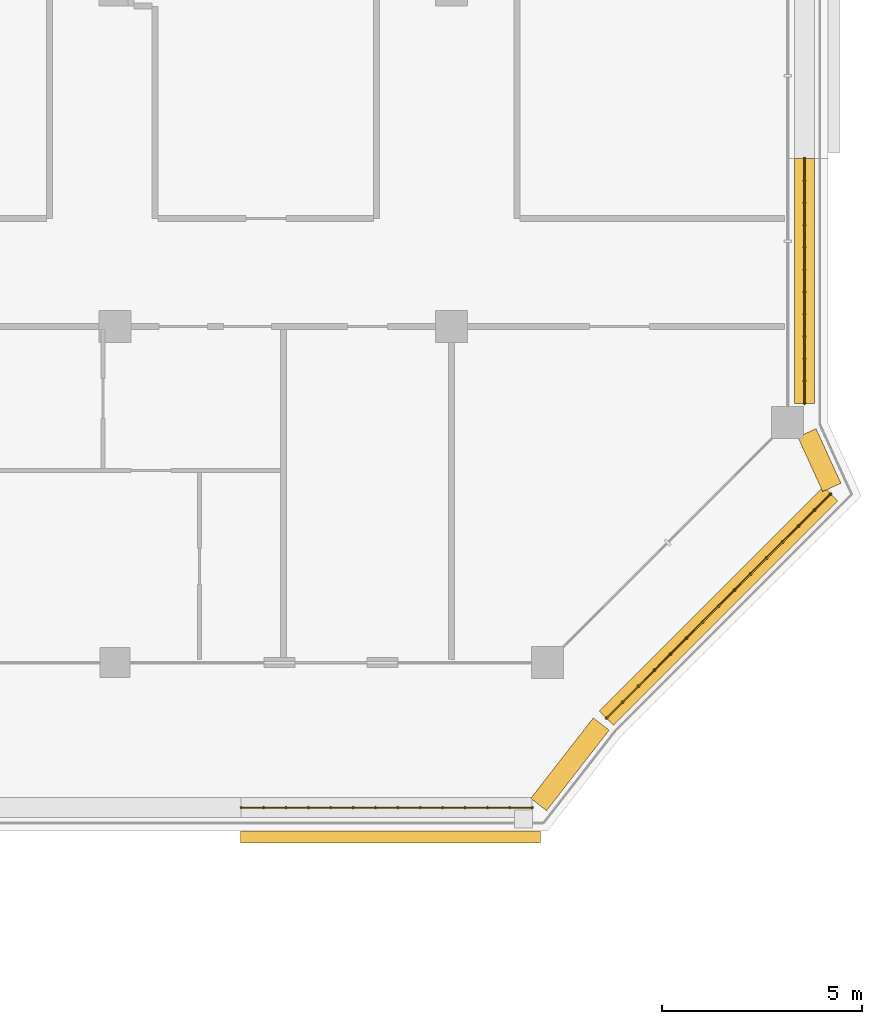
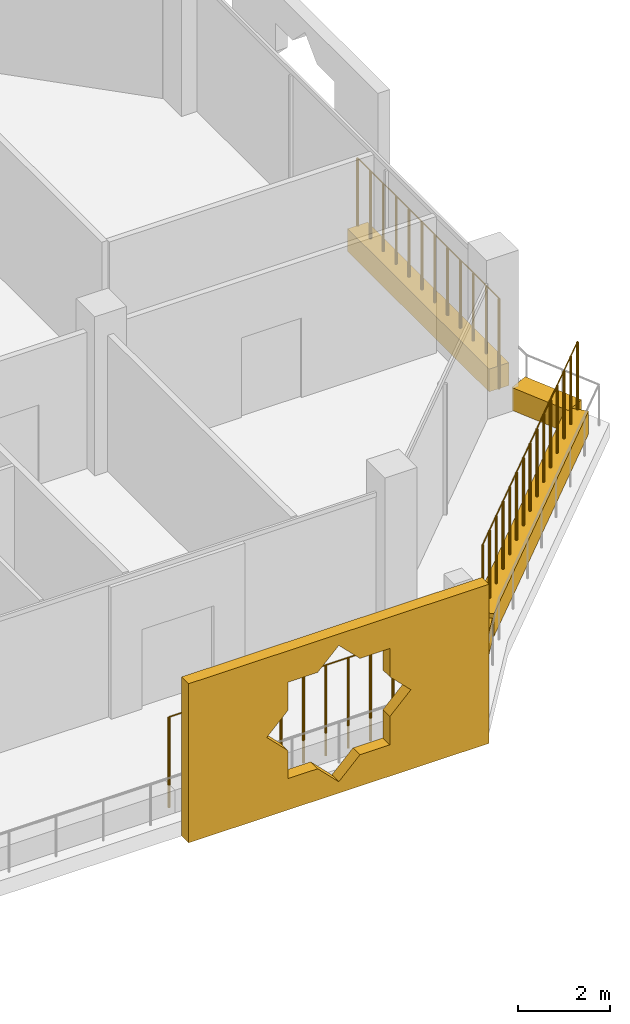
# One storey, part 19 of 22: 5 coverings, 3 railings.
"""IFC4 building model written with IfcOpenShell, lengths in metres."""

from ifc_helpers import new_model, si_unit, direction, frame, origin, origin_2d, place, context, subcontext, project, spatial, polyline, rectangle, circle, outline, extrude, material, material_profile, profile_set, type_object, element, save


model = new_model("IFC4")

# Units and contexts
model_context = context("Model", 3, precision=1e-05, world=origin(), true_north=direction((0.0, 1.0)))
body_context = subcontext(model_context, "Body", "Model", "MODEL_VIEW")
ifc_project = project(units=[si_unit("LENGTHUNIT", "METRE"), si_unit("AREAUNIT", "SQUARE_METRE"), si_unit("VOLUMEUNIT", "CUBIC_METRE"), si_unit("PLANEANGLEUNIT", "RADIAN"), si_unit("MASSUNIT", "GRAM", prefix="KILO")], contexts=[model_context])

# Site, building, storey
site_placement = place(None, origin())
site = spatial("IfcSite", under=ifc_project, at=site_placement, CompositionType="ELEMENT")
building_placement = place(site_placement, origin())
building = spatial("IfcBuilding", under=site, at=building_placement, Name="Kawkab Arch Medical Tower", CompositionType="ELEMENT")
storey_placement = place(building_placement, frame((0.0, 0.0, 298.60009765625)))
storey = spatial("IfcBuildingStorey", under=building, at=storey_placement, Name="L69", CompositionType="ELEMENT", Elevation=298.60009765625)

# Coverings
ifc_material_1 = material(Name="Bronze anodised aluminium mashrabiya panel, eight-point star pattern", Category="aluminium")
ifc_material_profile_1 = material_profile(ifc_material_1, outline(polyline([(-3.75, -2.10009765625), (3.75, -2.10009765625), (3.75, 2.10009765625), (-3.75, 2.10009765625), (-3.75, -2.10009765625)]), holes=[polyline([(1.800048828125, 0.0), (1.272705078125, 0.527099609375), (1.272705078125, 1.272705078125), (0.527099609375, 1.272705078125), (0.0, 1.800048828125), (-0.527099609375, 1.272705078125), (-1.272705078125, 1.272705078125), (-1.272705078125, 0.527099609375), (-1.800048828125, 0.0), (-1.272705078125, -0.527099609375), (-1.272705078125, -1.272705078125), (-0.527099609375, -1.272705078125), (0.0, -1.800048828125), (0.527099609375, -1.272705078125), (1.272705078125, -1.272705078125), (1.272705078125, -0.527099609375), (1.800048828125, 0.0)])]), Name="Mashrabiya panel 7500x4200")
ifc_profile_set_1 = profile_set([ifc_material_profile_1], Name="Bronze anodised aluminium mashrabiya panel, eight-point star pattern")
covering_type_1 = type_object("IfcCoveringType", Name="Mashrabiya panel 7500 x 4200", PredefinedType="USERDEFINED", material=ifc_profile_set_1)
covering_1_placement = place(storey_placement, frame((48.87890625, -29.39990234375, 1.699951171875), z_axis=(0.0, -1.0, 0.0), x_axis=(1.0, 0.0, 0.0)))
element("IfcCovering", 1, at=covering_1_placement, inside=storey, type_object=covering_type_1, Name="Mashrabiya panel L69.LOG-01-01.7", ObjectType="SCREEN", PredefinedType="USERDEFINED", context=body_context, shape_type="SweptSolid", body=[
    extrude(outline(polyline([(-3.75, -2.10009765625), (3.75, -2.10009765625), (3.75, 2.10009765625), (-3.75, 2.10009765625), (-3.75, -2.10009765625)]), holes=[polyline([(1.800048828125, 0.0), (1.272705078125, 0.527099609375), (1.272705078125, 1.272705078125), (0.527099609375, 1.272705078125), (0.0, 1.800048828125), (-0.527099609375, 1.272705078125), (-1.272705078125, 1.272705078125), (-1.272705078125, 0.527099609375), (-1.800048828125, 0.0), (-1.272705078125, -0.527099609375), (-1.272705078125, -1.272705078125), (-0.527099609375, -1.272705078125), (0.0, -1.800048828125), (0.527099609375, -1.272705078125), (1.272705078125, -1.272705078125), (1.272705078125, -0.527099609375), (1.800048828125, 0.0)])]), origin(), (0.0, 0.0, 1.0), 0.300048828125),
])
ifc_material_2 = material(Name="Planting soil in a precast trough", Category="concrete")
ifc_material_profile_2 = material_profile(ifc_material_2, rectangle(XDim=0.5, YDim=0.60009765625, at=origin_2d()), Name="Trough 500x600")
ifc_profile_set_2 = profile_set([ifc_material_profile_2], Name="Planting soil in a precast trough")
covering_type_2 = type_object("IfcCoveringType", Name="Planter trough 500 x 600", PredefinedType="USERDEFINED", material=ifc_profile_set_2)
covering_2_placement = place(storey_placement, frame((59.219970703125, -12.60009765625, 0.2998046875), z_axis=(0.0, -1.0, 0.0), x_axis=(1.0, 0.0, 0.0)))
element("IfcCovering", 2, at=covering_2_placement, inside=storey, type_object=covering_type_2, Name="Planter L69.LOG-01-01.23", ObjectType="PLANTER", PredefinedType="USERDEFINED", context=body_context, shape_type="SweptSolid", body=[
    extrude(rectangle(XDim=0.5, YDim=0.60009765625, at=origin_2d()), origin(), (0.0, 0.0, 1.0), 6.119873046875),
])
covering_3_placement = place(storey_placement, frame((59.280029296875, -19.4580078125, 0.2998046875), z_axis=(0.415189748133, -0.909734836667, 0.0), x_axis=(0.909734836667, 0.415189748133, 0.0)))
element("IfcCovering", 3, at=covering_3_placement, inside=storey, type_object=covering_type_2, Name="Planter L69.LOG-01-01.24", ObjectType="PLANTER", PredefinedType="USERDEFINED", context=body_context, shape_type="SweptSolid", body=[
    extrude(rectangle(XDim=0.5, YDim=0.60009765625, at=origin_2d()), origin(), (0.0, 0.0, 1.0), 1.498291015625),
])
covering_4_placement = place(storey_placement, frame((59.873046875, -20.98291015625, 0.2998046875), z_axis=(-0.707106781187, -0.707106781187, 0.0), x_axis=(0.707106781187, -0.707106781187, 0.0)))
element("IfcCovering", 4, at=covering_4_placement, inside=storey, type_object=covering_type_2, Name="Planter L69.LOG-01-01.25", ObjectType="PLANTER", PredefinedType="USERDEFINED", context=body_context, shape_type="SweptSolid", body=[
    extrude(rectangle(XDim=0.5, YDim=0.60009765625, at=origin_2d()), origin(), (0.0, 0.0, 1.0), 7.919677734375),
])
covering_5_placement = place(storey_placement, frame((54.14111328125, -26.73193359375, 0.2998046875), z_axis=(-0.614099956103, -0.789228258436, 0.0), x_axis=(0.789228258436, -0.614099956103, 0.0)))
element("IfcCovering", 5, at=covering_5_placement, inside=storey, type_object=covering_type_2, Name="Planter L69.LOG-01-01.26", ObjectType="PLANTER", PredefinedType="USERDEFINED", context=body_context, shape_type="SweptSolid", body=[
    extrude(rectangle(XDim=0.5, YDim=0.60009765625, at=origin_2d()), origin(), (0.0, 0.0, 1.0), 2.545654296875),
])

# Railings
ifc_material_3 = material(Name="Bronze anodised aluminium trellis for climbing plants", Category="aluminium")
railing_type = type_object("IfcRailingType", Name="Planting trellis 2400", PredefinedType="USERDEFINED", material=ifc_material_3)
railing_1_placement = place(storey_placement, frame((59.219970703125, -12.60009765625, 0.0)))
element("IfcRailing", 6, at=railing_1_placement, inside=storey, type_object=railing_type, Name="Planting trellis L69.LOG-01-01.23", ObjectType="TRELLIS", PredefinedType="USERDEFINED", context=body_context, shape_type="SweptSolid", body=[
    extrude(circle(Radius=0.01513671875, at=origin_2d()), frame((0.0, 0.0, 2.384765625), z_axis=(0.0, -1.0, 0.0), x_axis=(1.0, 0.0, 0.0)), (0.0, 0.0, 1.0), 6.119873046875),
    extrude(circle(Radius=0.030029296875, at=origin_2d()), origin(), (0.0, 0.0, 1.0), 2.369873046875),
    extrude(circle(Radius=0.030029296875, at=origin_2d()), frame((0.0, -0.556396484375, 0.0)), (0.0, 0.0, 1.0), 2.369873046875),
    extrude(circle(Radius=0.030029296875, at=origin_2d()), frame((0.0, -1.11279296875, 0.0)), (0.0, 0.0, 1.0), 2.369873046875),
    extrude(circle(Radius=0.030029296875, at=origin_2d()), frame((0.0, -1.6689453125, 0.0)), (0.0, 0.0, 1.0), 2.369873046875),
    extrude(circle(Radius=0.030029296875, at=origin_2d()), frame((0.0, -2.225341796875, 0.0)), (0.0, 0.0, 1.0), 2.369873046875),
    extrude(circle(Radius=0.030029296875, at=origin_2d()), frame((0.0, -2.78173828125, 0.0)), (0.0, 0.0, 1.0), 2.369873046875),
    extrude(circle(Radius=0.030029296875, at=origin_2d()), frame((0.0, -3.338134765625, 0.0)), (0.0, 0.0, 1.0), 2.369873046875),
    extrude(circle(Radius=0.030029296875, at=origin_2d()), frame((0.0, -3.89453125, 0.0)), (0.0, 0.0, 1.0), 2.369873046875),
    extrude(circle(Radius=0.030029296875, at=origin_2d()), frame((0.0, -4.450927734375, 0.0)), (0.0, 0.0, 1.0), 2.369873046875),
    extrude(circle(Radius=0.030029296875, at=origin_2d()), frame((0.0, -5.007080078125, 0.0)), (0.0, 0.0, 1.0), 2.369873046875),
    extrude(circle(Radius=0.030029296875, at=origin_2d()), frame((0.0, -5.5634765625, 0.0)), (0.0, 0.0, 1.0), 2.369873046875),
    extrude(circle(Radius=0.030029296875, at=origin_2d()), frame((0.0, -6.119873046875, 0.0)), (0.0, 0.0, 1.0), 2.369873046875),
])
railing_2_placement = place(storey_placement, frame((59.873046875, -20.98291015625, 0.0)))
element("IfcRailing", 7, at=railing_2_placement, inside=storey, type_object=railing_type, Name="Planting trellis L69.LOG-01-01.25", ObjectType="TRELLIS", PredefinedType="USERDEFINED", context=body_context, shape_type="SweptSolid", body=[
    extrude(circle(Radius=0.01513671875, at=origin_2d()), frame((0.0, 0.0, 2.384765625), z_axis=(-0.707106781187, -0.707106781187, 0.0), x_axis=(0.707106781187, -0.707106781187, 0.0)), (0.0, 0.0, 1.0), 7.919677734375),
    extrude(circle(Radius=0.030029296875, at=origin_2d()), origin(), (0.0, 0.0, 1.0), 2.369873046875),
    extrude(circle(Radius=0.030029296875, at=origin_2d()), frame((-0.39990234375, -0.39990234375, 0.0)), (0.0, 0.0, 1.0), 2.369873046875),
    extrude(circle(Radius=0.030029296875, at=origin_2d()), frame((-0.800048828125, -0.800048828125, 0.0)), (0.0, 0.0, 1.0), 2.369873046875),
    extrude(circle(Radius=0.030029296875, at=origin_2d()), frame((-1.199951171875, -1.199951171875, 0.0)), (0.0, 0.0, 1.0), 2.369873046875),
    extrude(circle(Radius=0.030029296875, at=origin_2d()), frame((-1.60009765625, -1.60009765625, 0.0)), (0.0, 0.0, 1.0), 2.369873046875),
    extrude(circle(Radius=0.030029296875, at=origin_2d()), frame((-2.0, -2.0, 0.0)), (0.0, 0.0, 1.0), 2.369873046875),
    extrude(circle(Radius=0.030029296875, at=origin_2d()), frame((-2.400146484375, -2.400146484375, 0.0)), (0.0, 0.0, 1.0), 2.369873046875),
    extrude(circle(Radius=0.030029296875, at=origin_2d()), frame((-2.800048828125, -2.800048828125, 0.0)), (0.0, 0.0, 1.0), 2.369873046875),
    extrude(circle(Radius=0.030029296875, at=origin_2d()), frame((-3.199951171875, -3.199951171875, 0.0)), (0.0, 0.0, 1.0), 2.369873046875),
    extrude(circle(Radius=0.030029296875, at=origin_2d()), frame((-3.60009765625, -3.60009765625, 0.0)), (0.0, 0.0, 1.0), 2.369873046875),
    extrude(circle(Radius=0.030029296875, at=origin_2d()), frame((-4.0, -4.0, 0.0)), (0.0, 0.0, 1.0), 2.369873046875),
    extrude(circle(Radius=0.030029296875, at=origin_2d()), frame((-4.400146484375, -4.400146484375, 0.0)), (0.0, 0.0, 1.0), 2.369873046875),
    extrude(circle(Radius=0.030029296875, at=origin_2d()), frame((-4.800048828125, -4.800048828125, 0.0)), (0.0, 0.0, 1.0), 2.369873046875),
    extrude(circle(Radius=0.030029296875, at=origin_2d()), frame((-5.2001953125, -5.2001953125, 0.0)), (0.0, 0.0, 1.0), 2.369873046875),
    extrude(circle(Radius=0.030029296875, at=origin_2d()), frame((-5.60009765625, -5.60009765625, 0.0)), (0.0, 0.0, 1.0), 2.369873046875),
])
railing_3_placement = place(storey_placement, frame((52.416015625, -28.820068359375, 0.0)))
element("IfcRailing", 8, at=railing_3_placement, inside=storey, type_object=railing_type, Name="Planting trellis L69.LOG-01-01.27", ObjectType="TRELLIS", PredefinedType="USERDEFINED", context=body_context, shape_type="SweptSolid", body=[
    extrude(circle(Radius=0.01513671875, at=origin_2d()), frame((0.0, 0.0, 2.384765625), z_axis=(-1.0, 0.0, 0.0), x_axis=(0.0, -1.0, 0.0)), (0.0, 0.0, 1.0), 7.26806640625),
    extrude(circle(Radius=0.030029296875, at=origin_2d()), origin(), (0.0, 0.0, 1.0), 2.369873046875),
    extrude(circle(Radius=0.030029296875, at=origin_2d()), frame((-0.55908203125, 0.0, 0.0)), (0.0, 0.0, 1.0), 2.369873046875),
    extrude(circle(Radius=0.030029296875, at=origin_2d()), frame((-1.1181640625, 0.0, 0.0)), (0.0, 0.0, 1.0), 2.369873046875),
    extrude(circle(Radius=0.030029296875, at=origin_2d()), frame((-1.67724609375, 0.0, 0.0)), (0.0, 0.0, 1.0), 2.369873046875),
    extrude(circle(Radius=0.030029296875, at=origin_2d()), frame((-2.236328125, 0.0, 0.0)), (0.0, 0.0, 1.0), 2.369873046875),
    extrude(circle(Radius=0.030029296875, at=origin_2d()), frame((-2.79541015625, 0.0, 0.0)), (0.0, 0.0, 1.0), 2.369873046875),
    extrude(circle(Radius=0.030029296875, at=origin_2d()), frame((-3.3544921875, 0.0, 0.0)), (0.0, 0.0, 1.0), 2.369873046875),
    extrude(circle(Radius=0.030029296875, at=origin_2d()), frame((-3.91357421875, 0.0, 0.0)), (0.0, 0.0, 1.0), 2.369873046875),
    extrude(circle(Radius=0.030029296875, at=origin_2d()), frame((-4.47265625, 0.0, 0.0)), (0.0, 0.0, 1.0), 2.369873046875),
    extrude(circle(Radius=0.030029296875, at=origin_2d()), frame((-5.03173828125, 0.0, 0.0)), (0.0, 0.0, 1.0), 2.369873046875),
    extrude(circle(Radius=0.030029296875, at=origin_2d()), frame((-5.5908203125, 0.0, 0.0)), (0.0, 0.0, 1.0), 2.369873046875),
    extrude(circle(Radius=0.030029296875, at=origin_2d()), frame((-6.14990234375, 0.0, 0.0)), (0.0, 0.0, 1.0), 2.369873046875),
    extrude(circle(Radius=0.030029296875, at=origin_2d()), frame((-6.708984375, 0.0, 0.0)), (0.0, 0.0, 1.0), 2.369873046875),
    extrude(circle(Radius=0.030029296875, at=origin_2d()), frame((-7.26806640625, 0.0, 0.0)), (0.0, 0.0, 1.0), 2.369873046875),
])

save(model, "model.ifc")
